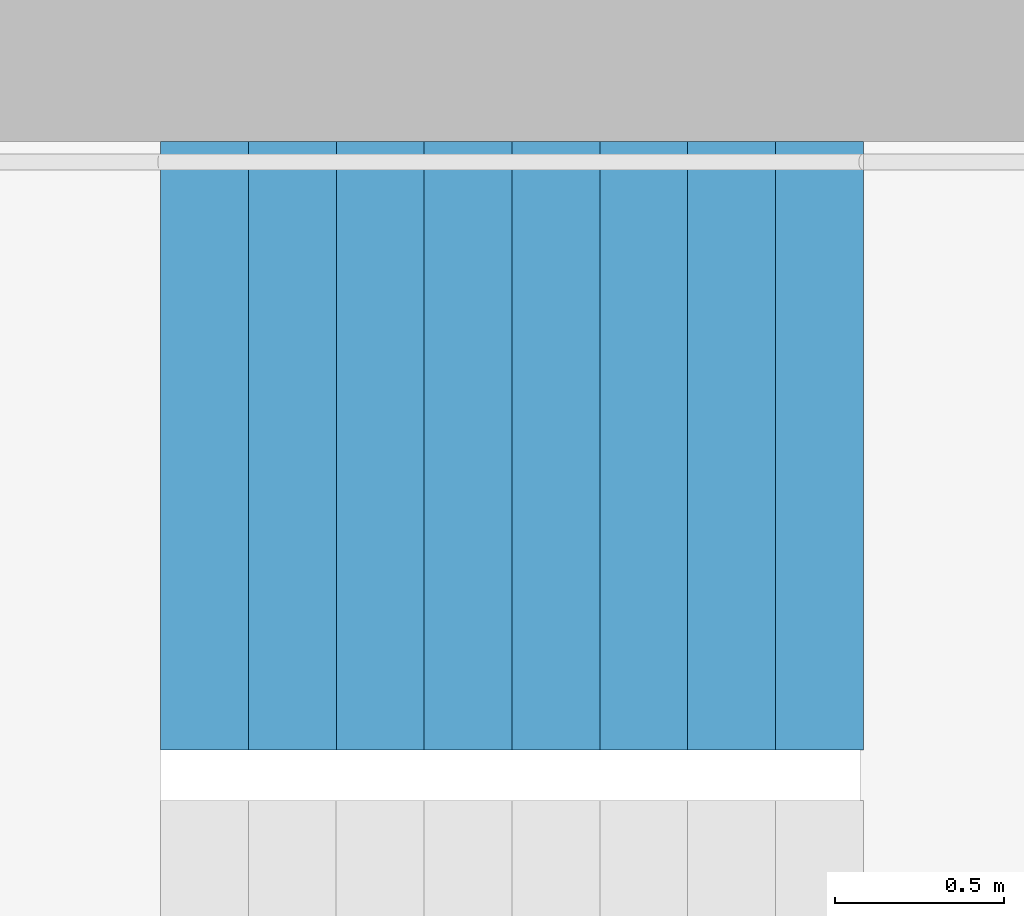
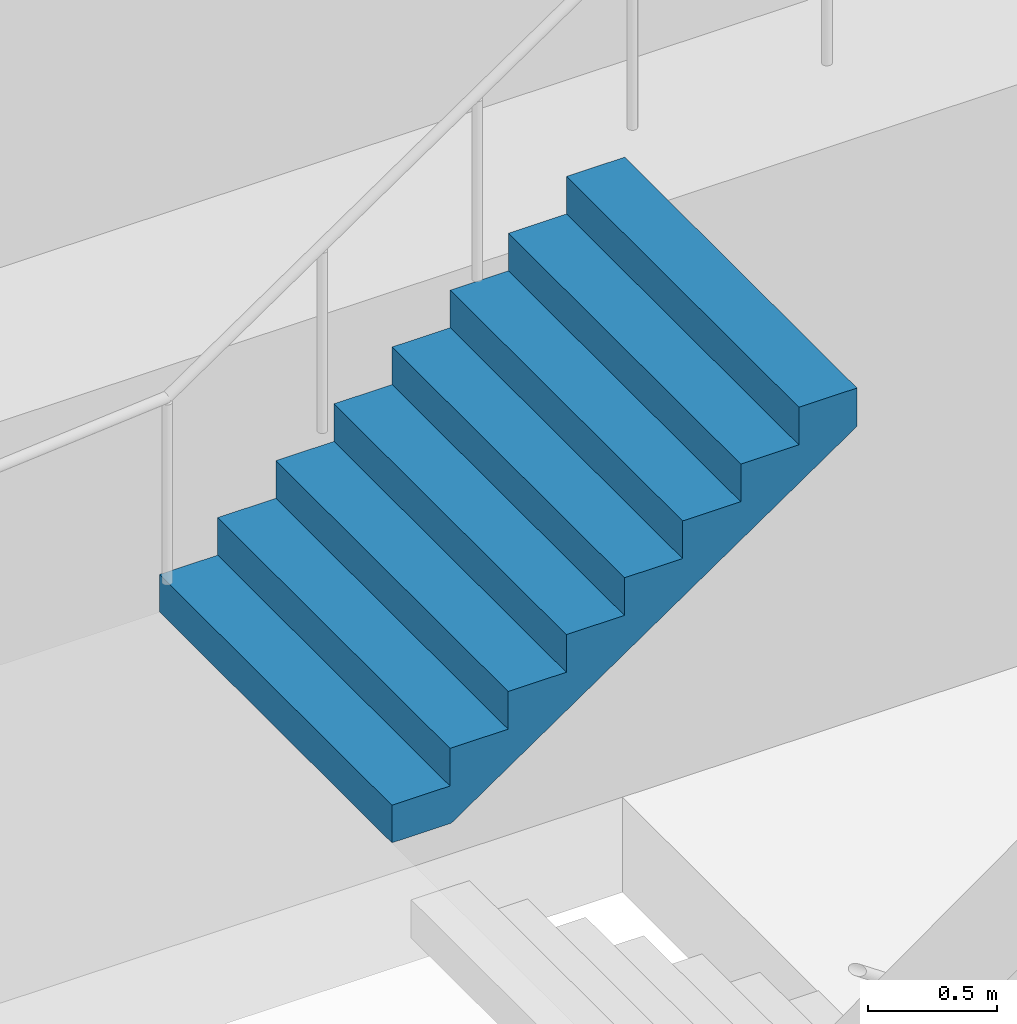
# One storey, part 26 of 27: 1 stair flight, 1 element without a shape of its own.
"""IFC4 building model written with IfcOpenShell, lengths in metres."""

from ifc_helpers import new_model, si_unit, direction, frame, origin, place, context, subcontext, project, spatial, triangles, material, type_object, element, aggregate, save


model = new_model("IFC4")

# Units and contexts
model_context = context("Model", 3, precision=1e-05, world=origin(), true_north=direction((0.0, 1.0)))
body_context = subcontext(model_context, "Body", "Model", "MODEL_VIEW")
ifc_project = project(units=[si_unit("LENGTHUNIT", "METRE"), si_unit("AREAUNIT", "SQUARE_METRE"), si_unit("VOLUMEUNIT", "CUBIC_METRE"), si_unit("PLANEANGLEUNIT", "RADIAN"), si_unit("MASSUNIT", "GRAM", prefix="KILO")], contexts=[model_context])

# Site, building, storey
site_placement = place(None, origin())
site = spatial("IfcSite", under=ifc_project, at=site_placement, CompositionType="ELEMENT")
building_placement = place(site_placement, origin())
building = spatial("IfcBuilding", under=site, at=building_placement, Name="Hakoniwa Tower and Hamabe Station Hall", CompositionType="ELEMENT")
storey_placement = place(building_placement, frame((0.0, 0.0, 255.0)))
storey = spatial("IfcBuildingStorey", under=building, at=storey_placement, Name="L72", CompositionType="ELEMENT", Elevation=255.0)

# Stair, stair flight
ifc_material_1 = material(Name="Concrete C40", Category="concrete")
stair_type = type_object("IfcStairType", Name="ESCAPE STAIR 1800", PredefinedType="HALF_TURN_STAIR", material=ifc_material_1)
stair_placement = place(storey_placement, origin())
stair = element("IfcStair", 1, at=stair_placement, inside=storey, type_object=stair_type, Name="Escape stair ST-3 L72", PredefinedType="HALF_TURN_STAIR")
ifc_material_2 = material(Name="Concrete C40", Category="concrete")
stair_flight_type = type_object("IfcStairFlightType", Name="STAIR FLIGHT 1800", PredefinedType="STRAIGHT", material=ifc_material_2)
stair_flight_placement = place(storey_placement, frame((22.320068359375, 6.60009765625, 1.60009765625), z_axis=(0.0, 0.0, 1.0), x_axis=(1.0, 0.0, 0.0)))
stair_flight = element("IfcStairFlight", 2, at=stair_flight_placement, type_object=stair_flight_type, Name="ST-3 flight 2", NumberOfRisers=9, NumberOfTreads=8, PredefinedType="STRAIGHT", RiserHeight=0.177777778, TreadLength=0.26, context=body_context, shape_type="Tessellation", body=[
    triangles([(0.0, 0.89990234375, 0.0), (0.260009765625, 0.89990234375, 0.0), (0.265625, 0.89990234375, 0.0), (0.52001953125, 0.89990234375, 0.174072265625), (0.780029296875, 0.89990234375, 0.351806640625), (1.0400390625, 0.89990234375, 0.529541015625), (1.300048828125, 0.89990234375, 0.707275390625), (1.56005859375, 0.89990234375, 0.885009765625), (1.820068359375, 0.89990234375, 1.062744140625), (2.080078125, 0.89990234375, 1.24072265625), (2.080078125, 0.89990234375, 1.422119140625), (1.820068359375, 0.89990234375, 1.422119140625), (1.820068359375, 0.89990234375, 1.244384765625), (1.56005859375, 0.89990234375, 1.244384765625), (1.56005859375, 0.89990234375, 1.066650390625), (1.300048828125, 0.89990234375, 1.066650390625), (1.300048828125, 0.89990234375, 0.888916015625), (1.0400390625, 0.89990234375, 0.888916015625), (1.0400390625, 0.89990234375, 0.711181640625), (0.780029296875, 0.89990234375, 0.711181640625), (0.780029296875, 0.89990234375, 0.533447265625), (0.52001953125, 0.89990234375, 0.533447265625), (0.52001953125, 0.89990234375, 0.35546875), (0.265625, 0.89990234375, 0.35546875), (0.260009765625, 0.89990234375, 0.35546875), (0.260009765625, 0.89990234375, 0.177734375), (0.0, 0.89990234375, 0.177734375), (0.0, 0.06005859375, 0.0), (0.260009765625, 0.06005859375, 0.0), (0.265625, 0.06005859375, 0.0), (0.52001953125, 0.06005859375, 0.174072265625), (0.780029296875, 0.06005859375, 0.351806640625), (1.0400390625, 0.06005859375, 0.529541015625), (1.300048828125, 0.06005859375, 0.707275390625), (1.56005859375, 0.06005859375, 0.885009765625), (1.820068359375, 0.06005859375, 1.062744140625), (2.080078125, 0.06005859375, 1.24072265625), (2.080078125, 0.06005859375, 1.422119140625), (1.820068359375, 0.06005859375, 1.422119140625), (1.820068359375, 0.06005859375, 1.244384765625), (1.56005859375, 0.06005859375, 1.244384765625), (1.56005859375, 0.06005859375, 1.066650390625), (1.300048828125, 0.06005859375, 1.066650390625), (1.300048828125, 0.06005859375, 0.888916015625), (1.0400390625, 0.06005859375, 0.888916015625), (1.0400390625, 0.06005859375, 0.711181640625), (0.780029296875, 0.06005859375, 0.711181640625), (0.780029296875, 0.06005859375, 0.533447265625), (0.52001953125, 0.06005859375, 0.533447265625), (0.52001953125, 0.06005859375, 0.35546875), (0.265625, 0.06005859375, 0.35546875), (0.260009765625, 0.06005859375, 0.35546875), (0.260009765625, 0.06005859375, 0.177734375), (0.0, 0.06005859375, 0.177734375), (0.0, 0.04296875, 0.0), (0.260009765625, 0.04296875, 0.0), (0.265625, 0.04296875, 0.0), (0.52001953125, 0.04296875, 0.174072265625), (0.780029296875, 0.04296875, 0.351806640625), (1.0400390625, 0.04296875, 0.529541015625), (1.300048828125, 0.04296875, 0.707275390625), (1.56005859375, 0.04296875, 0.885009765625), (1.820068359375, 0.04296875, 1.062744140625), (2.080078125, 0.04296875, 1.24072265625), (2.080078125, 0.04296875, 1.422119140625), (1.820068359375, 0.04296875, 1.422119140625), (1.820068359375, 0.04296875, 1.244384765625), (1.56005859375, 0.04296875, 1.244384765625), (1.56005859375, 0.04296875, 1.066650390625), (1.300048828125, 0.04296875, 1.066650390625), (1.300048828125, 0.04296875, 0.888916015625), (1.0400390625, 0.04296875, 0.888916015625), (1.0400390625, 0.04296875, 0.711181640625), (0.780029296875, 0.04296875, 0.711181640625), (0.780029296875, 0.04296875, 0.533447265625), (0.52001953125, 0.04296875, 0.533447265625), (0.52001953125, 0.04296875, 0.35546875), (0.265625, 0.04296875, 0.35546875), (0.260009765625, 0.04296875, 0.35546875), (0.260009765625, 0.04296875, 0.177734375), (0.0, 0.04296875, 0.177734375), (0.0, 0.025634765625, 0.0), (0.260009765625, 0.025634765625, 0.0), (0.265625, 0.025634765625, 0.0), (0.52001953125, 0.025634765625, 0.174072265625), (0.780029296875, 0.025634765625, 0.351806640625), (1.0400390625, 0.025634765625, 0.529541015625), (1.300048828125, 0.025634765625, 0.707275390625), (1.56005859375, 0.025634765625, 0.885009765625), (1.820068359375, 0.025634765625, 1.062744140625), (2.080078125, 0.025634765625, 1.24072265625), (2.080078125, 0.025634765625, 1.422119140625), (1.820068359375, 0.025634765625, 1.422119140625), (1.820068359375, 0.025634765625, 1.244384765625), (1.56005859375, 0.025634765625, 1.244384765625), (1.56005859375, 0.025634765625, 1.066650390625), (1.300048828125, 0.025634765625, 1.066650390625), (1.300048828125, 0.025634765625, 0.888916015625), (1.0400390625, 0.025634765625, 0.888916015625), (1.0400390625, 0.025634765625, 0.711181640625), (0.780029296875, 0.025634765625, 0.711181640625), (0.780029296875, 0.025634765625, 0.533447265625), (0.52001953125, 0.025634765625, 0.533447265625), (0.52001953125, 0.025634765625, 0.35546875), (0.265625, 0.025634765625, 0.35546875), (0.260009765625, 0.025634765625, 0.35546875), (0.260009765625, 0.025634765625, 0.177734375), (0.0, 0.025634765625, 0.177734375), (0.0, 0.008544921875, 0.0), (0.260009765625, 0.008544921875, 0.0), (0.265625, 0.008544921875, 0.0), (0.52001953125, 0.008544921875, 0.174072265625), (0.780029296875, 0.008544921875, 0.351806640625), (1.0400390625, 0.008544921875, 0.529541015625), (1.300048828125, 0.008544921875, 0.707275390625), (1.56005859375, 0.008544921875, 0.885009765625), (1.820068359375, 0.008544921875, 1.062744140625), (2.080078125, 0.008544921875, 1.24072265625), (2.080078125, 0.008544921875, 1.422119140625), (1.820068359375, 0.008544921875, 1.422119140625), (1.820068359375, 0.008544921875, 1.244384765625), (1.56005859375, 0.008544921875, 1.244384765625), (1.56005859375, 0.008544921875, 1.066650390625), (1.300048828125, 0.008544921875, 1.066650390625), (1.300048828125, 0.008544921875, 0.888916015625), (1.0400390625, 0.008544921875, 0.888916015625), (1.0400390625, 0.008544921875, 0.711181640625), (0.780029296875, 0.008544921875, 0.711181640625), (0.780029296875, 0.008544921875, 0.533447265625), (0.52001953125, 0.008544921875, 0.533447265625), (0.52001953125, 0.008544921875, 0.35546875), (0.265625, 0.008544921875, 0.35546875), (0.260009765625, 0.008544921875, 0.35546875), (0.260009765625, 0.008544921875, 0.177734375), (0.0, 0.008544921875, 0.177734375), (0.0, -0.008544921875, 0.0), (0.260009765625, -0.008544921875, 0.0), (0.265625, -0.008544921875, 0.0), (0.52001953125, -0.008544921875, 0.174072265625), (0.780029296875, -0.008544921875, 0.351806640625), (1.0400390625, -0.008544921875, 0.529541015625), (1.300048828125, -0.008544921875, 0.707275390625), (1.56005859375, -0.008544921875, 0.885009765625), (1.820068359375, -0.008544921875, 1.062744140625), (2.080078125, -0.008544921875, 1.24072265625), (2.080078125, -0.008544921875, 1.422119140625), (1.820068359375, -0.008544921875, 1.422119140625), (1.820068359375, -0.008544921875, 1.244384765625), (1.56005859375, -0.008544921875, 1.244384765625), (1.56005859375, -0.008544921875, 1.066650390625), (1.300048828125, -0.008544921875, 1.066650390625), (1.300048828125, -0.008544921875, 0.888916015625), (1.0400390625, -0.008544921875, 0.888916015625), (1.0400390625, -0.008544921875, 0.711181640625), (0.780029296875, -0.008544921875, 0.711181640625), (0.780029296875, -0.008544921875, 0.533447265625), (0.52001953125, -0.008544921875, 0.533447265625), (0.52001953125, -0.008544921875, 0.35546875), (0.265625, -0.008544921875, 0.35546875), (0.260009765625, -0.008544921875, 0.35546875), (0.260009765625, -0.008544921875, 0.177734375), (0.0, -0.008544921875, 0.177734375), (0.0, -0.025634765625, 0.0), (0.260009765625, -0.025634765625, 0.0), (0.265625, -0.025634765625, 0.0), (0.52001953125, -0.025634765625, 0.174072265625), (0.780029296875, -0.025634765625, 0.351806640625), (1.0400390625, -0.025634765625, 0.529541015625), (1.300048828125, -0.025634765625, 0.707275390625), (1.56005859375, -0.025634765625, 0.885009765625), (1.820068359375, -0.025634765625, 1.062744140625), (2.080078125, -0.025634765625, 1.24072265625), (2.080078125, -0.025634765625, 1.422119140625), (1.820068359375, -0.025634765625, 1.422119140625), (1.820068359375, -0.025634765625, 1.244384765625), (1.56005859375, -0.025634765625, 1.244384765625), (1.56005859375, -0.025634765625, 1.066650390625), (1.300048828125, -0.025634765625, 1.066650390625), (1.300048828125, -0.025634765625, 0.888916015625), (1.0400390625, -0.025634765625, 0.888916015625), (1.0400390625, -0.025634765625, 0.711181640625), (0.780029296875, -0.025634765625, 0.711181640625), (0.780029296875, -0.025634765625, 0.533447265625), (0.52001953125, -0.025634765625, 0.533447265625), (0.52001953125, -0.025634765625, 0.35546875), (0.265625, -0.025634765625, 0.35546875), (0.260009765625, -0.025634765625, 0.35546875), (0.260009765625, -0.025634765625, 0.177734375), (0.0, -0.025634765625, 0.177734375), (0.0, -0.04296875, 0.0), (0.260009765625, -0.04296875, 0.0), (0.265625, -0.04296875, 0.0), (0.52001953125, -0.04296875, 0.174072265625), (0.780029296875, -0.04296875, 0.351806640625), (1.0400390625, -0.04296875, 0.529541015625), (1.300048828125, -0.04296875, 0.707275390625), (1.56005859375, -0.04296875, 0.885009765625), (1.820068359375, -0.04296875, 1.062744140625), (2.080078125, -0.04296875, 1.24072265625), (2.080078125, -0.04296875, 1.422119140625), (1.820068359375, -0.04296875, 1.422119140625), (1.820068359375, -0.04296875, 1.244384765625), (1.56005859375, -0.04296875, 1.244384765625), (1.56005859375, -0.04296875, 1.066650390625), (1.300048828125, -0.04296875, 1.066650390625), (1.300048828125, -0.04296875, 0.888916015625), (1.0400390625, -0.04296875, 0.888916015625), (1.0400390625, -0.04296875, 0.711181640625), (0.780029296875, -0.04296875, 0.711181640625), (0.780029296875, -0.04296875, 0.533447265625), (0.52001953125, -0.04296875, 0.533447265625), (0.52001953125, -0.04296875, 0.35546875), (0.265625, -0.04296875, 0.35546875), (0.260009765625, -0.04296875, 0.35546875), (0.260009765625, -0.04296875, 0.177734375), (0.0, -0.04296875, 0.177734375), (0.0, -0.06005859375, 0.0), (0.260009765625, -0.06005859375, 0.0), (0.265625, -0.06005859375, 0.0), (0.52001953125, -0.06005859375, 0.174072265625), (0.780029296875, -0.06005859375, 0.351806640625), (1.0400390625, -0.06005859375, 0.529541015625), (1.300048828125, -0.06005859375, 0.707275390625), (1.56005859375, -0.06005859375, 0.885009765625), (1.820068359375, -0.06005859375, 1.062744140625), (2.080078125, -0.06005859375, 1.24072265625), (2.080078125, -0.06005859375, 1.422119140625), (1.820068359375, -0.06005859375, 1.422119140625), (1.820068359375, -0.06005859375, 1.244384765625), (1.56005859375, -0.06005859375, 1.244384765625), (1.56005859375, -0.06005859375, 1.066650390625), (1.300048828125, -0.06005859375, 1.066650390625), (1.300048828125, -0.06005859375, 0.888916015625), (1.0400390625, -0.06005859375, 0.888916015625), (1.0400390625, -0.06005859375, 0.711181640625), (0.780029296875, -0.06005859375, 0.711181640625), (0.780029296875, -0.06005859375, 0.533447265625), (0.52001953125, -0.06005859375, 0.533447265625), (0.52001953125, -0.06005859375, 0.35546875), (0.265625, -0.06005859375, 0.35546875), (0.260009765625, -0.06005859375, 0.35546875), (0.260009765625, -0.06005859375, 0.177734375), (0.0, -0.06005859375, 0.177734375), (0.0, -0.89990234375, 0.0), (0.260009765625, -0.89990234375, 0.0), (0.265625, -0.89990234375, 0.0), (0.52001953125, -0.89990234375, 0.174072265625), (0.780029296875, -0.89990234375, 0.351806640625), (1.0400390625, -0.89990234375, 0.529541015625), (1.300048828125, -0.89990234375, 0.707275390625), (1.56005859375, -0.89990234375, 0.885009765625), (1.820068359375, -0.89990234375, 1.062744140625), (2.080078125, -0.89990234375, 1.24072265625), (2.080078125, -0.89990234375, 1.422119140625), (1.820068359375, -0.89990234375, 1.422119140625), (1.820068359375, -0.89990234375, 1.244384765625), (1.56005859375, -0.89990234375, 1.244384765625), (1.56005859375, -0.89990234375, 1.066650390625), (1.300048828125, -0.89990234375, 1.066650390625), (1.300048828125, -0.89990234375, 0.888916015625), (1.0400390625, -0.89990234375, 0.888916015625), (1.0400390625, -0.89990234375, 0.711181640625), (0.780029296875, -0.89990234375, 0.711181640625), (0.780029296875, -0.89990234375, 0.533447265625), (0.52001953125, -0.89990234375, 0.533447265625), (0.52001953125, -0.89990234375, 0.35546875), (0.265625, -0.89990234375, 0.35546875), (0.260009765625, -0.89990234375, 0.35546875), (0.260009765625, -0.89990234375, 0.177734375), (0.0, -0.89990234375, 0.177734375)], [[2, 27, 26], [245, 269, 270], [2, 1, 27], [245, 270, 244], [3, 25, 24], [246, 267, 268], [3, 26, 25], [246, 268, 269], [3, 2, 26], [246, 269, 245], [4, 24, 23], [247, 266, 267], [4, 3, 24], [247, 267, 246], [5, 22, 21], [248, 264, 265], [5, 23, 22], [248, 265, 266], [5, 4, 23], [248, 266, 247], [6, 20, 19], [249, 262, 263], [6, 21, 20], [249, 263, 264], [6, 5, 21], [249, 264, 248], [7, 18, 17], [250, 260, 261], [7, 19, 18], [250, 261, 262], [7, 6, 19], [250, 262, 249], [8, 16, 15], [251, 258, 259], [8, 17, 16], [251, 259, 260], [8, 7, 17], [251, 260, 250], [9, 14, 13], [252, 256, 257], [9, 15, 14], [252, 257, 258], [9, 8, 15], [252, 258, 251], [10, 12, 11], [253, 254, 255], [10, 13, 12], [253, 255, 256], [10, 9, 13], [253, 256, 252], [1, 2, 29], [1, 29, 28], [28, 29, 56], [28, 56, 55], [55, 56, 83], [55, 83, 82], [82, 83, 110], [82, 110, 109], [109, 110, 137], [109, 137, 136], [136, 137, 164], [136, 164, 163], [163, 164, 191], [163, 191, 190], [190, 191, 218], [190, 218, 217], [217, 218, 245], [217, 245, 244], [2, 3, 30], [2, 30, 29], [29, 30, 57], [29, 57, 56], [56, 57, 84], [56, 84, 83], [83, 84, 111], [83, 111, 110], [110, 111, 138], [110, 138, 137], [137, 138, 165], [137, 165, 164], [164, 165, 192], [164, 192, 191], [191, 192, 219], [191, 219, 218], [218, 219, 246], [218, 246, 245], [3, 4, 31], [3, 31, 30], [30, 31, 58], [30, 58, 57], [57, 58, 85], [57, 85, 84], [84, 85, 112], [84, 112, 111], [111, 112, 139], [111, 139, 138], [138, 139, 166], [138, 166, 165], [165, 166, 193], [165, 193, 192], [192, 193, 220], [192, 220, 219], [219, 220, 247], [219, 247, 246], [4, 5, 32], [4, 32, 31], [31, 32, 59], [31, 59, 58], [58, 59, 86], [58, 86, 85], [85, 86, 113], [85, 113, 112], [112, 113, 140], [112, 140, 139], [139, 140, 167], [139, 167, 166], [166, 167, 194], [166, 194, 193], [193, 194, 221], [193, 221, 220], [220, 221, 248], [220, 248, 247], [5, 6, 33], [5, 33, 32], [32, 33, 60], [32, 60, 59], [59, 60, 87], [59, 87, 86], [86, 87, 114], [86, 114, 113], [113, 114, 141], [113, 141, 140], [140, 141, 168], [140, 168, 167], [167, 168, 195], [167, 195, 194], [194, 195, 222], [194, 222, 221], [221, 222, 249], [221, 249, 248], [6, 7, 34], [6, 34, 33], [33, 34, 61], [33, 61, 60], [60, 61, 88], [60, 88, 87], [87, 88, 115], [87, 115, 114], [114, 115, 142], [114, 142, 141], [141, 142, 169], [141, 169, 168], [168, 169, 196], [168, 196, 195], [195, 196, 223], [195, 223, 222], [222, 223, 250], [222, 250, 249], [7, 8, 35], [7, 35, 34], [34, 35, 62], [34, 62, 61], [61, 62, 89], [61, 89, 88], [88, 89, 116], [88, 116, 115], [115, 116, 143], [115, 143, 142], [142, 143, 170], [142, 170, 169], [169, 170, 197], [169, 197, 196], [196, 197, 224], [196, 224, 223], [223, 224, 251], [223, 251, 250], [8, 9, 36], [8, 36, 35], [35, 36, 63], [35, 63, 62], [62, 63, 90], [62, 90, 89], [89, 90, 117], [89, 117, 116], [116, 117, 144], [116, 144, 143], [143, 144, 171], [143, 171, 170], [170, 171, 198], [170, 198, 197], [197, 198, 225], [197, 225, 224], [224, 225, 252], [224, 252, 251], [9, 10, 37], [9, 37, 36], [36, 37, 64], [36, 64, 63], [63, 64, 91], [63, 91, 90], [90, 91, 118], [90, 118, 117], [117, 118, 145], [117, 145, 144], [144, 145, 172], [144, 172, 171], [171, 172, 199], [171, 199, 198], [198, 199, 226], [198, 226, 225], [225, 226, 253], [225, 253, 252], [10, 11, 38], [10, 38, 37], [37, 38, 65], [37, 65, 64], [64, 65, 92], [64, 92, 91], [91, 92, 119], [91, 119, 118], [118, 119, 146], [118, 146, 145], [145, 146, 173], [145, 173, 172], [172, 173, 200], [172, 200, 199], [199, 200, 227], [199, 227, 226], [226, 227, 254], [226, 254, 253], [11, 12, 39], [11, 39, 38], [38, 39, 66], [38, 66, 65], [65, 66, 93], [65, 93, 92], [92, 93, 120], [92, 120, 119], [119, 120, 147], [119, 147, 146], [146, 147, 174], [146, 174, 173], [173, 174, 201], [173, 201, 200], [200, 201, 228], [200, 228, 227], [227, 228, 255], [227, 255, 254], [12, 13, 40], [12, 40, 39], [39, 40, 67], [39, 67, 66], [66, 67, 94], [66, 94, 93], [93, 94, 121], [93, 121, 120], [120, 121, 148], [120, 148, 147], [147, 148, 175], [147, 175, 174], [174, 175, 202], [174, 202, 201], [201, 202, 229], [201, 229, 228], [228, 229, 256], [228, 256, 255], [13, 14, 41], [13, 41, 40], [40, 41, 68], [40, 68, 67], [67, 68, 95], [67, 95, 94], [94, 95, 122], [94, 122, 121], [121, 122, 149], [121, 149, 148], [148, 149, 176], [148, 176, 175], [175, 176, 203], [175, 203, 202], [202, 203, 230], [202, 230, 229], [229, 230, 257], [229, 257, 256], [14, 15, 42], [14, 42, 41], [41, 42, 69], [41, 69, 68], [68, 69, 96], [68, 96, 95], [95, 96, 123], [95, 123, 122], [122, 123, 150], [122, 150, 149], [149, 150, 177], [149, 177, 176], [176, 177, 204], [176, 204, 203], [203, 204, 231], [203, 231, 230], [230, 231, 258], [230, 258, 257], [15, 16, 43], [15, 43, 42], [42, 43, 70], [42, 70, 69], [69, 70, 97], [69, 97, 96], [96, 97, 124], [96, 124, 123], [123, 124, 151], [123, 151, 150], [150, 151, 178], [150, 178, 177], [177, 178, 205], [177, 205, 204], [204, 205, 232], [204, 232, 231], [231, 232, 259], [231, 259, 258], [16, 17, 44], [16, 44, 43], [43, 44, 71], [43, 71, 70], [70, 71, 98], [70, 98, 97], [97, 98, 125], [97, 125, 124], [124, 125, 152], [124, 152, 151], [151, 152, 179], [151, 179, 178], [178, 179, 206], [178, 206, 205], [205, 206, 233], [205, 233, 232], [232, 233, 260], [232, 260, 259], [17, 18, 45], [17, 45, 44], [44, 45, 72], [44, 72, 71], [71, 72, 99], [71, 99, 98], [98, 99, 126], [98, 126, 125], [125, 126, 153], [125, 153, 152], [152, 153, 180], [152, 180, 179], [179, 180, 207], [179, 207, 206], [206, 207, 234], [206, 234, 233], [233, 234, 261], [233, 261, 260], [18, 19, 46], [18, 46, 45], [45, 46, 73], [45, 73, 72], [72, 73, 100], [72, 100, 99], [99, 100, 127], [99, 127, 126], [126, 127, 154], [126, 154, 153], [153, 154, 181], [153, 181, 180], [180, 181, 208], [180, 208, 207], [207, 208, 235], [207, 235, 234], [234, 235, 262], [234, 262, 261], [19, 20, 47], [19, 47, 46], [46, 47, 74], [46, 74, 73], [73, 74, 101], [73, 101, 100], [100, 101, 128], [100, 128, 127], [127, 128, 155], [127, 155, 154], [154, 155, 182], [154, 182, 181], [181, 182, 209], [181, 209, 208], [208, 209, 236], [208, 236, 235], [235, 236, 263], [235, 263, 262], [20, 21, 48], [20, 48, 47], [47, 48, 75], [47, 75, 74], [74, 75, 102], [74, 102, 101], [101, 102, 129], [101, 129, 128], [128, 129, 156], [128, 156, 155], [155, 156, 183], [155, 183, 182], [182, 183, 210], [182, 210, 209], [209, 210, 237], [209, 237, 236], [236, 237, 264], [236, 264, 263], [21, 22, 49], [21, 49, 48], [48, 49, 76], [48, 76, 75], [75, 76, 103], [75, 103, 102], [102, 103, 130], [102, 130, 129], [129, 130, 157], [129, 157, 156], [156, 157, 184], [156, 184, 183], [183, 184, 211], [183, 211, 210], [210, 211, 238], [210, 238, 237], [237, 238, 265], [237, 265, 264], [22, 23, 50], [22, 50, 49], [49, 50, 77], [49, 77, 76], [76, 77, 104], [76, 104, 103], [103, 104, 131], [103, 131, 130], [130, 131, 158], [130, 158, 157], [157, 158, 185], [157, 185, 184], [184, 185, 212], [184, 212, 211], [211, 212, 239], [211, 239, 238], [238, 239, 266], [238, 266, 265], [23, 24, 51], [23, 51, 50], [50, 51, 78], [50, 78, 77], [77, 78, 105], [77, 105, 104], [104, 105, 132], [104, 132, 131], [131, 132, 159], [131, 159, 158], [158, 159, 186], [158, 186, 185], [185, 186, 213], [185, 213, 212], [212, 213, 240], [212, 240, 239], [239, 240, 267], [239, 267, 266], [24, 25, 52], [24, 52, 51], [51, 52, 79], [51, 79, 78], [78, 79, 106], [78, 106, 105], [105, 106, 133], [105, 133, 132], [132, 133, 160], [132, 160, 159], [159, 160, 187], [159, 187, 186], [186, 187, 214], [186, 214, 213], [213, 214, 241], [213, 241, 240], [240, 241, 268], [240, 268, 267], [25, 26, 53], [25, 53, 52], [52, 53, 80], [52, 80, 79], [79, 80, 107], [79, 107, 106], [106, 107, 134], [106, 134, 133], [133, 134, 161], [133, 161, 160], [160, 161, 188], [160, 188, 187], [187, 188, 215], [187, 215, 214], [214, 215, 242], [214, 242, 241], [241, 242, 269], [241, 269, 268], [26, 27, 54], [26, 54, 53], [53, 54, 81], [53, 81, 80], [80, 81, 108], [80, 108, 107], [107, 108, 135], [107, 135, 134], [134, 135, 162], [134, 162, 161], [161, 162, 189], [161, 189, 188], [188, 189, 216], [188, 216, 215], [215, 216, 243], [215, 243, 242], [242, 243, 270], [242, 270, 269], [27, 1, 28], [27, 28, 54], [54, 28, 55], [54, 55, 81], [81, 55, 82], [81, 82, 108], [108, 82, 109], [108, 109, 135], [135, 109, 136], [135, 136, 162], [162, 136, 163], [162, 163, 189], [189, 163, 190], [189, 190, 216], [216, 190, 217], [216, 217, 243], [243, 217, 244], [243, 244, 270]], closed=True),
])
aggregate(stair, [stair_flight])

save(model, "model.ifc")
